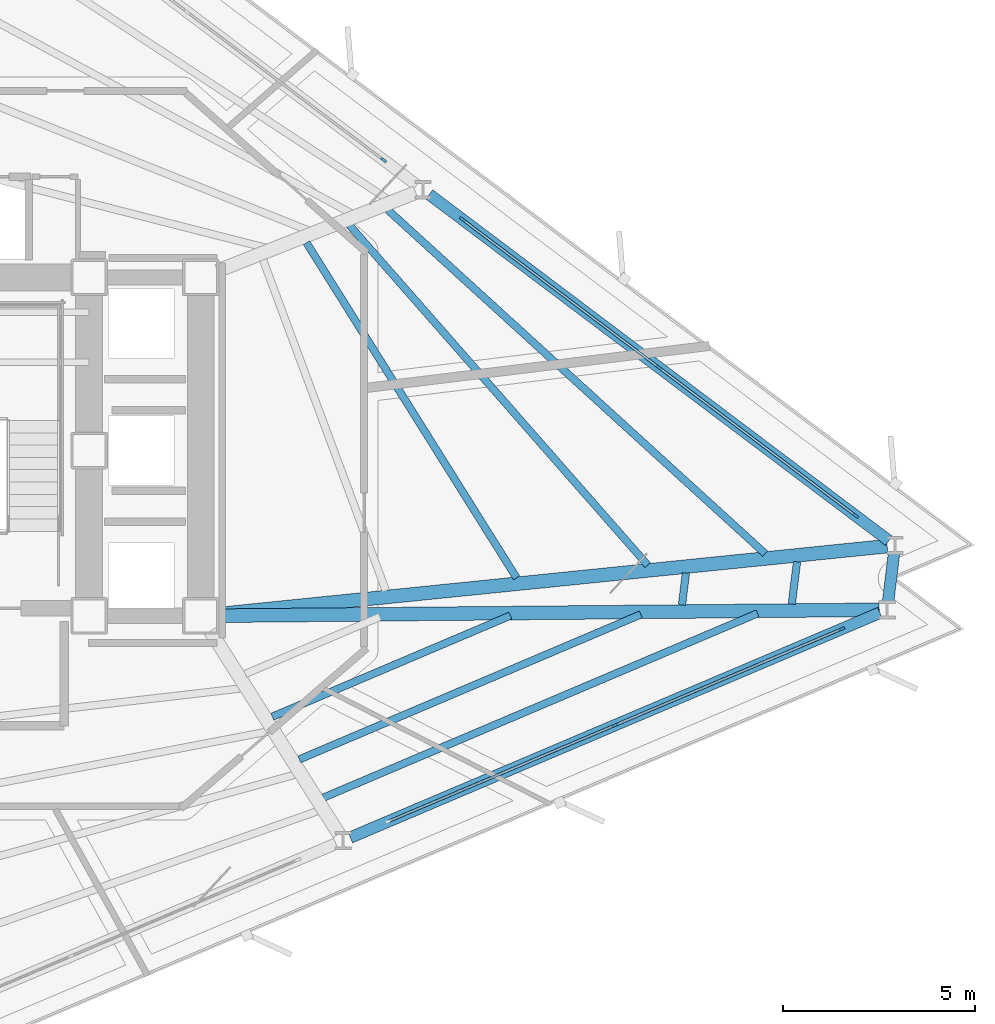
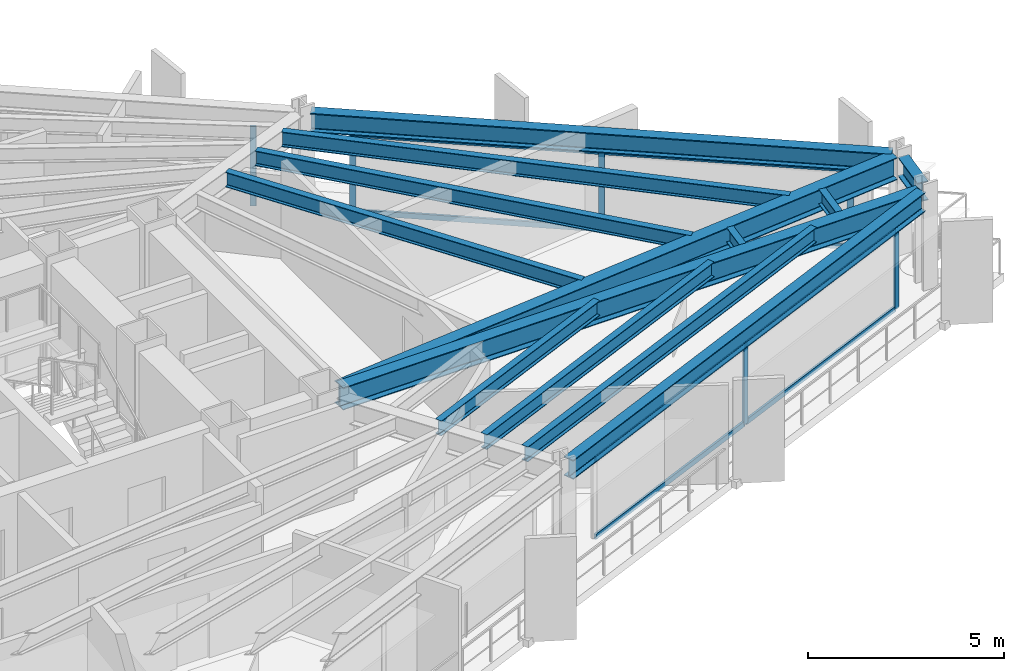
# One storey, part 4 of 13: 14 members, 13 beams, 3 elements without a shape of their own.
"""IFC4 building model written with IfcOpenShell, lengths in metres."""

import ifcopenshell
import ifcopenshell.guid

model = None  # the IFC model being written
_history = None  # IfcOwnerHistory: only IFC2X3 demands one
_inside = {}  # id of a spatial element -> (the spatial element, [elements in it])
_under = {}  # id of a project, library or spatial element -> (it, [spatial elements below it])
_declared = {}  # id of a project -> (the project, [libraries it declares])
_typed = {}  # id of a type object -> (the type object, [elements of that type])
_made_of = {}  # id of a material, layer set ... -> (it, [elements and type objects made of it])


def new_model(schema):
    """Start an empty IFC model of exactly this schema.

    Asked for "IFC4X3", IfcOpenShell would pick the latest addendum, in which some entities
    have other attributes; the version numbers below select the first issue.
    IFC2X3 requires an IfcOwnerHistory on every rooted entity: one is made here for all.
    """
    global model, _history
    if schema == "IFC4X3":
        model = ifcopenshell.file(schema_version=(4, 3, 0, 0))
    else:
        model = ifcopenshell.file(schema=schema)
    _inside.clear()
    _under.clear()
    _declared.clear()
    _typed.clear()
    _made_of.clear()
    _history = None
    if model.schema == "IFC2X3":
        org = make("IfcOrganization", Name="unknown")
        user = make(
            "IfcPersonAndOrganization",
            ThePerson=make("IfcPerson", FamilyName="unknown"),
            TheOrganization=org,
        )
        app = make(
            "IfcApplication",
            ApplicationDeveloper=org,
            Version="unknown",
            ApplicationFullName="unknown",
            ApplicationIdentifier="unknown",
        )
        _history = make(
            "IfcOwnerHistory",
            OwningUser=user,
            OwningApplication=app,
            ChangeAction="ADDED",
            CreationDate=0,
        )
    return model


def make(cls, **values):
    """One entity of the class cls with the attributes given. An attribute that is None is left unset."""
    return model.create_entity(
        cls, **{name: value for name, value in values.items() if value is not None}
    )


def rooted(cls, **values):
    """An entity with a GlobalId (a new one), such as an element, a storey or a relation."""
    return make(cls, GlobalId=ifcopenshell.guid.new(), OwnerHistory=_history, **values)


def si_unit(unit_type, name, prefix=None):
    """IfcSIUnit, for example si_unit("LENGTHUNIT", "METRE", prefix="MILLI")."""
    return make("IfcSIUnit", UnitType=unit_type, Prefix=prefix, Name=name)


def assignment(units):
    """IfcUnitAssignment: the units of a project."""
    return None if units is None else make("IfcUnitAssignment", Units=units)


def point(xyz):
    """IfcCartesianPoint."""
    return None if xyz is None else make("IfcCartesianPoint", Coordinates=xyz)


def direction(xyz):
    """IfcDirection."""
    return None if xyz is None else make("IfcDirection", DirectionRatios=xyz)


def frame(location, z_axis=None, x_axis=None):
    """IfcAxis2Placement3D, a coordinate frame: its origin and axes. An axis left out is left unset."""
    return make(
        "IfcAxis2Placement3D",
        Location=point(location),
        Axis=direction(z_axis),
        RefDirection=direction(x_axis),
    )


def frame_2d(location, x_axis=None):
    """IfcAxis2Placement2D, a coordinate frame in the plane: its origin and x axis."""
    return make(
        "IfcAxis2Placement2D", Location=point(location), RefDirection=direction(x_axis)
    )


def origin():
    """The frame at (0, 0, 0) with its axes left unset."""
    return frame((0.0, 0.0, 0.0))


def origin_2d():
    """The frame at (0, 0) in the plane with its x axis left unset."""
    return frame_2d((0.0, 0.0))


def place(relative_to, where):
    """IfcLocalPlacement: puts the frame where relative to a parent placement (None: the world)."""
    return make(
        "IfcLocalPlacement", PlacementRelTo=relative_to, RelativePlacement=where
    )


def context(
    kind, dimensions, precision=None, world=None, true_north=None, identifier=None
):
    """IfcGeometricRepresentationContext, for example the 3D "Model" context."""
    return make(
        "IfcGeometricRepresentationContext",
        ContextIdentifier=identifier,
        ContextType=kind,
        CoordinateSpaceDimension=dimensions,
        Precision=precision,
        WorldCoordinateSystem=world,
        TrueNorth=true_north,
    )


def subcontext(parent, identifier, kind, view, scale=None):
    """IfcGeometricRepresentationSubContext, for example "Body" below "Model"."""
    return make(
        "IfcGeometricRepresentationSubContext",
        ContextIdentifier=identifier,
        ContextType=kind,
        ParentContext=parent,
        TargetScale=scale,
        TargetView=view,
    )


def project(units=None, contexts=None):
    """IfcProject with its units and contexts."""
    return rooted(
        "IfcProject",
        Name="project",
        RepresentationContexts=contexts,
        UnitsInContext=assignment(units),
    )


def spatial(cls, under=None, at=None, **own):
    """A site, building, storey or space (cls), placed at a placement, below another one or the project."""
    s = rooted(cls, ObjectPlacement=at, **own)
    if under is not None:
        _under.setdefault(under.id(), (under, []))[1].append(s)
    return s


def profile(cls, at=None, kind="AREA", **sizes):
    """A parametric profile (cls). Its sizes go by their IFC names, for example OverallWidth=200.0."""
    return make(cls, ProfileType=kind, Position=at, **sizes)


def rectangle(**sizes):
    """IfcRectangleProfileDef."""
    return profile("IfcRectangleProfileDef", **sizes)


def i_section(**sizes):
    """IfcIShapeProfileDef."""
    return profile("IfcIShapeProfileDef", **sizes)


def extrude(swept, where, along, depth):
    """IfcExtrudedAreaSolid: the profile swept, set in the frame where, extruded along a direction by depth."""
    return make(
        "IfcExtrudedAreaSolid",
        SweptArea=swept,
        Position=where,
        ExtrudedDirection=direction(along),
        Depth=depth,
    )


def shape(context_of_items, identifier, shape_type, items):
    """IfcShapeRepresentation: the items that make up one representation, for example the "Body"."""
    return make(
        "IfcShapeRepresentation",
        ContextOfItems=context_of_items,
        RepresentationIdentifier=identifier,
        RepresentationType=shape_type,
        Items=items,
    )


def material(Name=None, Category=None):
    """IfcMaterial."""
    return make("IfcMaterial", Name=Name, Category=Category)


def layer(
    of_material, thickness, ventilated=None, Name=None, Category=None, Priority=None
):
    """IfcMaterialLayer: one layer of a wall or slab, of a material (None: an air gap)."""
    return make(
        "IfcMaterialLayer",
        Material=of_material,
        LayerThickness=thickness,
        IsVentilated=ventilated,
        Name=Name,
        Category=Category,
        Priority=Priority,
    )


def layer_set(layers, Name=None):
    """IfcMaterialLayerSet."""
    return make("IfcMaterialLayerSet", MaterialLayers=layers, LayerSetName=Name)


def material_profile(
    of_material, cross_section, Name=None, Category=None, Priority=None
):
    """IfcMaterialProfile: a cross section and its material."""
    return make(
        "IfcMaterialProfile",
        Name=Name,
        Material=of_material,
        Profile=cross_section,
        Priority=Priority,
        Category=Category,
    )


def profile_set(profiles, Name=None, composite=None):
    """IfcMaterialProfileSet."""
    return make(
        "IfcMaterialProfileSet",
        Name=Name,
        MaterialProfiles=profiles,
        CompositeProfile=composite,
    )


def made_of(thing, what):
    """Note that an element or type object is made of a material, layer set ...; save() writes the relation."""
    if what is not None:
        _made_of.setdefault(what.id(), (what, []))[1].append(thing)
    return thing


def type_object(cls, material=None, **own):
    """A type object (cls), such as IfcWallType, which elements share."""
    return made_of(rooted(cls, **own), material)


def element(
    cls,
    number,
    at=None,
    inside=None,
    cuts=None,
    type_object=None,
    material=None,
    context=None,
    identifier="Body",
    shape_type=None,
    held_by="IfcProductDefinitionShape",
    body=None,
    shapes=None,
    **own,
):
    """One element of the class cls, such as IfcWall. Its Tag is "e" and its number.

    at: its placement. inside: the storey or other place that contains it. cuts: it is an
    opening in that element (IfcRelVoidsElement). A single representation is given by context,
    identifier, shape_type and body (its items); several are given by shapes. held_by: the class
    of the entity that holds the representations. save() writes the other relations.
    """
    e = rooted(cls, Tag="e%d" % number, ObjectPlacement=at, **own)
    if body is not None:
        shapes = [shape(context, identifier, shape_type, body)]
    if shapes is not None:
        e.Representation = make(held_by, Representations=shapes)
    if inside is not None:
        _inside.setdefault(inside.id(), (inside, []))[1].append(e)
    if cuts is not None:
        rooted(
            "IfcRelVoidsElement", RelatingBuildingElement=cuts, RelatedOpeningElement=e
        )
    if type_object is not None:
        _typed.setdefault(type_object.id(), (type_object, []))[1].append(e)
    return made_of(e, material)


def aggregate(whole, parts):
    """IfcRelAggregates: a whole, such as a stair, and the parts it consists of."""
    return rooted("IfcRelAggregates", RelatingObject=whole, RelatedObjects=parts)


def save(model, path):
    """Write the relations noted so far, then the file.

    IfcRelAggregates (storeys below a building ...), IfcRelContainedInSpatialStructure (elements
    in a storey), IfcRelDefinesByType, IfcRelAssociatesMaterial and IfcRelDeclares: one each for
    every whole, place, type object, material and project.
    """
    for whole, parts in _under.values():
        aggregate(whole, parts)
    for where, things in _inside.values():
        rooted(
            "IfcRelContainedInSpatialStructure",
            RelatedElements=things,
            RelatingStructure=where,
        )
    for kind, things in _typed.values():
        rooted("IfcRelDefinesByType", RelatedObjects=things, RelatingType=kind)
    for what, things in _made_of.values():
        rooted("IfcRelAssociatesMaterial", RelatedObjects=things, RelatingMaterial=what)
    for by, libraries in _declared.values():
        rooted("IfcRelDeclares", RelatingContext=by, RelatedDefinitions=libraries)
    model.write(path)


model = new_model("IFC4")

# Units and contexts
model_context = context("Model", 3, precision=1e-05, world=origin(), true_north=direction((0.0, 1.0)))
body_context = subcontext(model_context, "Body", "Model", "MODEL_VIEW")
ifc_project = project(units=[si_unit("LENGTHUNIT", "METRE"), si_unit("AREAUNIT", "SQUARE_METRE"), si_unit("VOLUMEUNIT", "CUBIC_METRE"), si_unit("PLANEANGLEUNIT", "RADIAN"), si_unit("MASSUNIT", "GRAM", prefix="KILO")], contexts=[model_context])

# Site, building, storey
site_placement = place(None, origin())
site = spatial("IfcSite", under=ifc_project, at=site_placement, CompositionType="ELEMENT")
building_placement = place(site_placement, origin())
building = spatial("IfcBuilding", under=site, at=building_placement, Name="Rocaltana Carrier Exchange", CompositionType="ELEMENT")
storey_placement = place(building_placement, frame((0.0, 0.0, 59.679931640625)))
storey = spatial("IfcBuildingStorey", under=building, at=storey_placement, Name="L18", CompositionType="ELEMENT", Elevation=59.679931640625)

# Curtain wall, members
ifc_material_1 = material(Name="Aluminium 6063-T6", Category="aluminium")
ifc_layer = layer(ifc_material_1, 0.1650390625)
ifc_layer_set = layer_set([ifc_layer], Name="Aluminium 6063-T6")
curtain_wall_type = type_object("IfcCurtainWallType", Name="Lower-Mid Stepped Curtain Wall CW-02", PredefinedType="NOTDEFINED", material=ifc_layer_set)
curtain_wall_1_placement = place(storey_placement, origin())
curtain_wall_1 = element("IfcCurtainWall", 1, at=curtain_wall_1_placement, inside=storey, type_object=curtain_wall_type, Name="L18 CW-02 Run CW-L18-F1S1", PredefinedType="NOTDEFINED")
ifc_material_2 = material(Name="Aluminium 6063-T6", Category="aluminium")
ifc_material_profile_1 = material_profile(ifc_material_2, rectangle(XDim=0.06494140625, YDim=0.1650390625, at=origin_2d()), Name="AL-65X165")
ifc_profile_set_1 = profile_set([ifc_material_profile_1], Name="Aluminium 6063-T6")
member_type_1 = type_object("IfcMemberType", Name="CW-02 Mullion AL-65X165", PredefinedType="MULLION", material=ifc_profile_set_1)
member_1_placement = place(storey_placement, frame((25.978759765625, -1.69482421875, 0.0), z_axis=(0.0, 0.0, 1.0), x_axis=(-0.601806560833, -0.798641886792, 0.0)))
member_1 = element("IfcMember", 2, at=member_1_placement, type_object=member_type_1, Name="CW-02 mullion 1", PredefinedType="MULLION", context=body_context, shape_type="SweptSolid", body=[
    extrude(rectangle(XDim=0.06494140625, YDim=0.1650390625, at=origin_2d()), origin(), (0.0, 0.0, 1.0), 2.47802734375),
])
member_2_placement = place(storey_placement, frame((20.86669921875, 2.1572265625, 0.0), z_axis=(0.0, 0.0, 1.0), x_axis=(-0.601806560833, -0.798641886792, 0.0)))
member_2 = element("IfcMember", 3, at=member_2_placement, type_object=member_type_1, Name="CW-02 mullion 2", PredefinedType="MULLION", context=body_context, shape_type="SweptSolid", body=[
    extrude(rectangle(XDim=0.06494140625, YDim=0.1650390625, at=origin_2d()), origin(), (0.0, 0.0, 1.0), 2.47802734375),
])
member_3_placement = place(storey_placement, frame((15.754638671875, 6.00927734375, 0.0), z_axis=(0.0, 0.0, 1.0), x_axis=(-0.601806560833, -0.798641886792, 0.0)))
member_3 = element("IfcMember", 4, at=member_3_placement, type_object=member_type_1, Name="CW-02 mullion 3", PredefinedType="MULLION", context=body_context, shape_type="SweptSolid", body=[
    extrude(rectangle(XDim=0.06494140625, YDim=0.1650390625, at=origin_2d()), origin(), (0.0, 0.0, 1.0), 2.47802734375),
])

# Curtain wall, member
curtain_wall_2_placement = place(storey_placement, origin())
curtain_wall_2 = element("IfcCurtainWall", 5, at=curtain_wall_2_placement, inside=storey, type_object=curtain_wall_type, Name="L18 CW-02 Run CW-L18-F1S2", PredefinedType="NOTDEFINED")
member_4_placement = place(storey_placement, frame((13.706298828125, 7.552978515625, 0.0), z_axis=(0.0, 0.0, 1.0), x_axis=(-0.601815253533, -0.798635336443, 0.0)))
member_4 = element("IfcMember", 6, at=member_4_placement, type_object=member_type_1, Name="CW-02 mullion 1", PredefinedType="MULLION", context=body_context, shape_type="SweptSolid", body=[
    extrude(rectangle(XDim=0.06494140625, YDim=0.1650390625, at=origin_2d()), origin(), (0.0, 0.0, 1.0), 2.47802734375),
])
aggregate(curtain_wall_2, [member_4])

# Curtain wall, members
curtain_wall_3_placement = place(storey_placement, origin())
curtain_wall_3 = element("IfcCurtainWall", 7, at=curtain_wall_3_placement, inside=storey, type_object=curtain_wall_type, Name="L18 CW-02 Run CW-L18-F3S3", PredefinedType="NOTDEFINED")
member_5_placement = place(storey_placement, frame((19.72509765625, -7.141357421875, 0.0), z_axis=(0.0, 0.0, 1.0), x_axis=(-0.390735259141, 0.920503100084, 0.0)))
member_5 = element("IfcMember", 8, at=member_5_placement, type_object=member_type_1, Name="CW-02 mullion 2", PredefinedType="MULLION", context=body_context, shape_type="SweptSolid", body=[
    extrude(rectangle(XDim=0.06494140625, YDim=0.1650390625, at=origin_2d()), origin(), (0.0, 0.0, 1.0), 2.47802734375),
])
member_6_placement = place(storey_placement, frame((25.6171875, -4.64013671875, 0.0), z_axis=(0.0, 0.0, 1.0), x_axis=(-0.390735259141, 0.920503100084, 0.0)))
member_6 = element("IfcMember", 9, at=member_6_placement, type_object=member_type_1, Name="CW-02 mullion 3", PredefinedType="MULLION", context=body_context, shape_type="SweptSolid", body=[
    extrude(rectangle(XDim=0.06494140625, YDim=0.1650390625, at=origin_2d()), origin(), (0.0, 0.0, 1.0), 2.47802734375),
])

# Member
ifc_material_3 = material(Name="Aluminium 6063-T6", Category="aluminium")
ifc_material_profile_2 = material_profile(ifc_material_3, rectangle(XDim=0.06494140625, YDim=0.1650390625, at=origin_2d()), Name="AL-65X165")
ifc_profile_set_2 = profile_set([ifc_material_profile_2], Name="Aluminium 6063-T6")
member_type_2 = type_object("IfcMemberType", Name="CW-02 Transom AL-65X165", PredefinedType="USERDEFINED", material=ifc_profile_set_2)
member_7_placement = place(storey_placement, frame((25.95263671875, -1.67529296875, 0.032470703125), z_axis=(-0.798638496284, 0.601811060261, 0.0), x_axis=(-0.601811060261, -0.798638496284, 0.0)))
member_7 = element("IfcMember", 10, at=member_7_placement, type_object=member_type_2, Name="CW-02 transom 1.1", ObjectType="TRANSOM", PredefinedType="USERDEFINED", context=body_context, shape_type="SweptSolid", body=[
    extrude(rectangle(XDim=0.06494140625, YDim=0.1650390625, at=origin_2d()), origin(), (0.0, 0.0, 1.0), 6.3359375),
])

member_8_placement = place(storey_placement, frame((25.95263671875, -1.67529296875, 2.445556640625), z_axis=(-0.798638496284, 0.601811060261, 0.0), x_axis=(-0.601811060261, -0.798638496284, 0.0)))
member_8 = element("IfcMember", 11, at=member_8_placement, type_object=member_type_2, Name="CW-02 transom 1.2", ObjectType="TRANSOM", PredefinedType="USERDEFINED", context=body_context, shape_type="SweptSolid", body=[
    extrude(rectangle(XDim=0.06494140625, YDim=0.1650390625, at=origin_2d()), origin(), (0.0, 0.0, 1.0), 6.3359375),
])

member_9_placement = place(storey_placement, frame((20.8408203125, 2.1767578125, 0.032470703125), z_axis=(-0.798638496284, 0.601811060261, 0.0), x_axis=(-0.601811060261, -0.798638496284, 0.0)))
member_9 = element("IfcMember", 12, at=member_9_placement, type_object=member_type_2, Name="CW-02 transom 2.1", ObjectType="TRANSOM", PredefinedType="USERDEFINED", context=body_context, shape_type="SweptSolid", body=[
    extrude(rectangle(XDim=0.06494140625, YDim=0.1650390625, at=origin_2d()), origin(), (0.0, 0.0, 1.0), 6.3359375),
])

member_10_placement = place(storey_placement, frame((20.8408203125, 2.1767578125, 2.445556640625), z_axis=(-0.798638496284, 0.601811060261, 0.0), x_axis=(-0.601811060261, -0.798638496284, 0.0)))
member_10 = element("IfcMember", 13, at=member_10_placement, type_object=member_type_2, Name="CW-02 transom 2.2", ObjectType="TRANSOM", PredefinedType="USERDEFINED", context=body_context, shape_type="SweptSolid", body=[
    extrude(rectangle(XDim=0.06494140625, YDim=0.1650390625, at=origin_2d()), origin(), (0.0, 0.0, 1.0), 6.3359375),
])

aggregate(curtain_wall_1, [member_1, member_2, member_3, member_7, member_8, member_9, member_10])

member_11_placement = place(storey_placement, frame((13.863037109375, -9.629638671875, 0.032470703125), z_axis=(0.920502835622, 0.390735882167, 0.0), x_axis=(-0.390735882167, 0.920502835622, 0.0)))
member_11 = element("IfcMember", 14, at=member_11_placement, type_object=member_type_2, Name="CW-02 transom 1.1", ObjectType="TRANSOM", PredefinedType="USERDEFINED", context=body_context, shape_type="SweptSolid", body=[
    extrude(rectangle(XDim=0.06494140625, YDim=0.1650390625, at=origin_2d()), origin(), (0.0, 0.0, 1.0), 6.335693359375),
])

member_12_placement = place(storey_placement, frame((13.863037109375, -9.629638671875, 2.445556640625), z_axis=(0.920502835622, 0.390735882167, 0.0), x_axis=(-0.390735882167, 0.920502835622, 0.0)))
member_12 = element("IfcMember", 15, at=member_12_placement, type_object=member_type_2, Name="CW-02 transom 1.2", ObjectType="TRANSOM", PredefinedType="USERDEFINED", context=body_context, shape_type="SweptSolid", body=[
    extrude(rectangle(XDim=0.06494140625, YDim=0.1650390625, at=origin_2d()), origin(), (0.0, 0.0, 1.0), 6.335693359375),
])

member_13_placement = place(storey_placement, frame((19.7548828125, -7.128662109375, 0.032470703125), z_axis=(0.920494859312, 0.390754672372, 0.0), x_axis=(-0.390754672372, 0.920494859312, 0.0)))
member_13 = element("IfcMember", 16, at=member_13_placement, type_object=member_type_2, Name="CW-02 transom 2.1", ObjectType="TRANSOM", PredefinedType="USERDEFINED", context=body_context, shape_type="SweptSolid", body=[
    extrude(rectangle(XDim=0.06494140625, YDim=0.1650390625, at=origin_2d()), origin(), (0.0, 0.0, 1.0), 6.3359375),
])

member_14_placement = place(storey_placement, frame((19.7548828125, -7.128662109375, 2.445556640625), z_axis=(0.920494859312, 0.390754672372, 0.0), x_axis=(-0.390754672372, 0.920494859312, 0.0)))
member_14 = element("IfcMember", 17, at=member_14_placement, type_object=member_type_2, Name="CW-02 transom 2.2", ObjectType="TRANSOM", PredefinedType="USERDEFINED", context=body_context, shape_type="SweptSolid", body=[
    extrude(rectangle(XDim=0.06494140625, YDim=0.1650390625, at=origin_2d()), origin(), (0.0, 0.0, 1.0), 6.3359375),
])

aggregate(curtain_wall_3, [member_5, member_6, member_11, member_12, member_13, member_14])

# Beams
ifc_material_4 = material(Name="Steel S355", Category="steel")
ifc_material_profile_3 = material_profile(ifc_material_4, i_section(OverallWidth=0.193115234375, OverallDepth=0.466064453125, WebThickness=0.011474609375, FlangeThickness=0.01904296875, FilletRadius=0.013916015625, at=origin_2d()), Name="W18X65")
ifc_profile_set_3 = profile_set([ifc_material_profile_3], Name="Steel S355")
beam_type_1 = type_object("IfcBeamType", Name="Floor Joist W18X65", PredefinedType="JOIST", material=ifc_profile_set_3)
beam_1_placement = place(storey_placement, frame((17.1630859375, -3.311279296875, 2.864990234375), z_axis=(-0.531103653512, 0.847306856591, 0.0), x_axis=(-0.847306856591, -0.531103653512, 0.0)))
element("IfcBeam", 18, at=beam_1_placement, inside=storey, type_object=beam_type_1, Name="FJ-L18-01-2", PredefinedType="JOIST", context=body_context, shape_type="SweptSolid", body=[
    extrude(i_section(OverallWidth=0.193115234375, OverallDepth=0.466064453125, WebThickness=0.011474609375, FlangeThickness=0.01904296875, FilletRadius=0.013916015625, at=origin_2d()), origin(), (0.0, 0.0, 1.0), 10.285888671875),
])
beam_2_placement = place(storey_placement, frame((20.5712890625, -2.9794921875, 2.864990234375), z_axis=(-0.659558512546, 0.751653223587, 0.0), x_axis=(-0.751653223587, -0.659558512546, 0.0)))
element("IfcBeam", 19, at=beam_2_placement, inside=storey, type_object=beam_type_1, Name="FJ-L18-01-3", PredefinedType="JOIST", context=body_context, shape_type="SweptSolid", body=[
    extrude(i_section(OverallWidth=0.193115234375, OverallDepth=0.466064453125, WebThickness=0.011474609375, FlangeThickness=0.01904296875, FilletRadius=0.013916015625, at=origin_2d()), origin(), (0.0, 0.0, 1.0), 11.751708984375),
])
beam_3_placement = place(storey_placement, frame((23.626708984375, -2.68115234375, 2.864990234375), z_axis=(-0.739263706451, 0.673416046976, 0.0), x_axis=(-0.673416046976, -0.739263706451, 0.0)))
element("IfcBeam", 20, at=beam_3_placement, inside=storey, type_object=beam_type_1, Name="FJ-L18-01-4", PredefinedType="JOIST", context=body_context, shape_type="SweptSolid", body=[
    extrude(i_section(OverallWidth=0.193115234375, OverallDepth=0.466064453125, WebThickness=0.011474609375, FlangeThickness=0.01904296875, FilletRadius=0.013916015625, at=origin_2d()), origin(), (0.0, 0.0, 1.0), 13.269775390625),
])
beam_4_placement = place(storey_placement, frame((10.81103515625, -6.9208984375, 2.864990234375), z_axis=(0.920502665094, 0.390736283898, 0.0), x_axis=(-0.390736283898, 0.920502665094, 0.0)))
element("IfcBeam", 21, at=beam_4_placement, inside=storey, type_object=beam_type_1, Name="FJ-L18-11-2", PredefinedType="JOIST", context=body_context, shape_type="SweptSolid", body=[
    extrude(i_section(OverallWidth=0.193115234375, OverallDepth=0.466064453125, WebThickness=0.011474609375, FlangeThickness=0.01904296875, FilletRadius=0.013916015625, at=origin_2d()), origin(), (0.0, 0.0, 1.0), 6.7255859375),
])
beam_5_placement = place(storey_placement, frame((11.514404296875, -8.03125, 2.864990234375), z_axis=(0.920503721311, 0.390733795636, 0.0), x_axis=(-0.390733795636, 0.920503721311, 0.0)))
element("IfcBeam", 22, at=beam_5_placement, inside=storey, type_object=beam_type_1, Name="FJ-L18-11-3", PredefinedType="JOIST", context=body_context, shape_type="SweptSolid", body=[
    extrude(i_section(OverallWidth=0.193115234375, OverallDepth=0.466064453125, WebThickness=0.011474609375, FlangeThickness=0.01904296875, FilletRadius=0.013916015625, at=origin_2d()), origin(), (0.0, 0.0, 1.0), 9.6455078125),
])
beam_6_placement = place(storey_placement, frame((12.143798828125, -9.024658203125, 2.864990234375), z_axis=(0.920504513762, 0.390731928749, 0.0), x_axis=(-0.390731928749, 0.920504513762, 0.0)))
element("IfcBeam", 23, at=beam_6_placement, inside=storey, type_object=beam_type_1, Name="FJ-L18-11-4", PredefinedType="JOIST", context=body_context, shape_type="SweptSolid", body=[
    extrude(i_section(OverallWidth=0.193115234375, OverallDepth=0.466064453125, WebThickness=0.011474609375, FlangeThickness=0.01904296875, FilletRadius=0.013916015625, at=origin_2d()), origin(), (0.0, 0.0, 1.0), 12.2578125),
])
beam_7_placement = place(storey_placement, frame((21.464111328125, -4.01708984375, 2.864990234375), z_axis=(0.122022478493, 0.992527337025, 0.0), x_axis=(-0.992527337025, 0.122022478493, 0.0)))
element("IfcBeam", 24, at=beam_7_placement, inside=storey, type_object=beam_type_1, Name="FJ-L18-12-3", PredefinedType="JOIST", context=body_context, shape_type="SweptSolid", body=[
    extrude(i_section(OverallWidth=0.193115234375, OverallDepth=0.466064453125, WebThickness=0.011474609375, FlangeThickness=0.01904296875, FilletRadius=0.013916015625, at=origin_2d()), origin(), (0.0, 0.0, 1.0), 0.83642578125),
])
beam_8_placement = place(storey_placement, frame((24.31982421875, -3.991455078125, 2.864990234375), z_axis=(0.121834081675, 0.992550480602, 0.0), x_axis=(-0.992550480602, 0.121834081675, 0.0)))
element("IfcBeam", 25, at=beam_8_placement, inside=storey, type_object=beam_type_1, Name="FJ-L18-12-4", PredefinedType="JOIST", context=body_context, shape_type="SweptSolid", body=[
    extrude(i_section(OverallWidth=0.193115234375, OverallDepth=0.466064453125, WebThickness=0.011474609375, FlangeThickness=0.01904296875, FilletRadius=0.013916015625, at=origin_2d()), origin(), (0.0, 0.0, 1.0), 1.106201171875),
])
ifc_material_5 = material(Name="Steel S355", Category="steel")
ifc_material_profile_4 = material_profile(ifc_material_5, i_section(OverallWidth=0.35498046875, OverallDepth=0.695068359375, WebThickness=0.015380859375, FlangeThickness=0.02490234375, FilletRadius=0.01806640625, at=origin_2d()), Name="W27X146")
ifc_profile_set_4 = profile_set([ifc_material_profile_4], Name="Steel S355")
beam_type_2 = type_object("IfcBeamType", Name="Radial Girder W27X146", PredefinedType="BEAM", material=ifc_profile_set_4)
beam_9_placement = place(storey_placement, frame((9.41455078125, -4.252685546875, 2.75048828125), z_axis=(0.994883866015, 0.101025210436, 0.0), x_axis=(-0.101025210436, 0.994883866015, 0.0)))
element("IfcBeam", 26, at=beam_9_placement, inside=storey, type_object=beam_type_2, Name="RG-L18-01", PredefinedType="BEAM", context=body_context, shape_type="SweptSolid", body=[
    extrude(i_section(OverallWidth=0.35498046875, OverallDepth=0.695068359375, WebThickness=0.015380859375, FlangeThickness=0.02490234375, FilletRadius=0.01806640625, at=origin_2d()), origin(), (0.0, 0.0, 1.0), 17.474609375),
])
beam_10_placement = place(storey_placement, frame((9.4169921875, -4.2958984375, 2.75048828125), z_axis=(0.999959271259, 0.009025288, 0.0), x_axis=(-0.009025288, 0.999959271259, 0.0)))
element("IfcBeam", 27, at=beam_10_placement, inside=storey, type_object=beam_type_2, Name="RG-L18-12", PredefinedType="BEAM", context=body_context, shape_type="SweptSolid", body=[
    extrude(i_section(OverallWidth=0.35498046875, OverallDepth=0.695068359375, WebThickness=0.015380859375, FlangeThickness=0.02490234375, FilletRadius=0.01806640625, at=origin_2d()), origin(), (0.0, 0.0, 1.0), 17.17724609375),
])
ifc_material_6 = material(Name="Steel S355", Category="steel")
ifc_material_profile_5 = material_profile(ifc_material_6, i_section(OverallWidth=0.300048828125, OverallDepth=0.60009765625, WebThickness=0.015380859375, FlangeThickness=0.030029296875, FilletRadius=0.027099609375, at=origin_2d()), Name="HEB600")
ifc_profile_set_5 = profile_set([ifc_material_profile_5], Name="Steel S355")
beam_type_3 = type_object("IfcBeamType", Name="Spandrel Edge Beam HEB600", PredefinedType="SPANDREL", material=ifc_profile_set_5)
for number, where, z_axis, x_axis, name in (
    (28, (26.840087890625, -2.343994140625, 2.798095703125), (-0.798646600906, 0.601800304803, 0.0), (-0.601800304803, -0.798646600906, 0.0), "SP-L18-01"),
    (29, (12.84033203125, -10.063720703125, 2.798095703125), (0.920501211771, 0.390739707642, 0.0), (-0.390739707642, 0.920501211771, 0.0), "SP-L18-11"),
):
    element("IfcBeam", number, at=place(storey_placement, frame(where, z_axis=z_axis, x_axis=x_axis)), inside=storey, type_object=beam_type_3, Name=name, PredefinedType="SPANDREL", context=body_context, shape_type="SweptSolid", body=[
        extrude(i_section(OverallWidth=0.300048828125, OverallDepth=0.60009765625, WebThickness=0.015380859375, FlangeThickness=0.030029296875, FilletRadius=0.027099609375, at=origin_2d()), origin(), (0.0, 0.0, 1.0), 14.958740234375),
    ])
beam_11_placement = place(storey_placement, frame((26.822509765625, -3.9365234375, 2.798095703125), z_axis=(0.121798770325, 0.992554814379, 0.0), x_axis=(-0.992554814379, 0.121798770325, 0.0)))
element("IfcBeam", 30, at=beam_11_placement, inside=storey, type_object=beam_type_3, Name="SP-L18-12", PredefinedType="SPANDREL", context=body_context, shape_type="SweptSolid", body=[
    extrude(i_section(OverallWidth=0.300048828125, OverallDepth=0.60009765625, WebThickness=0.015380859375, FlangeThickness=0.030029296875, FilletRadius=0.027099609375, at=origin_2d()), origin(), (0.0, 0.0, 1.0), 1.27685546875),
])

save(model, "model.ifc")
